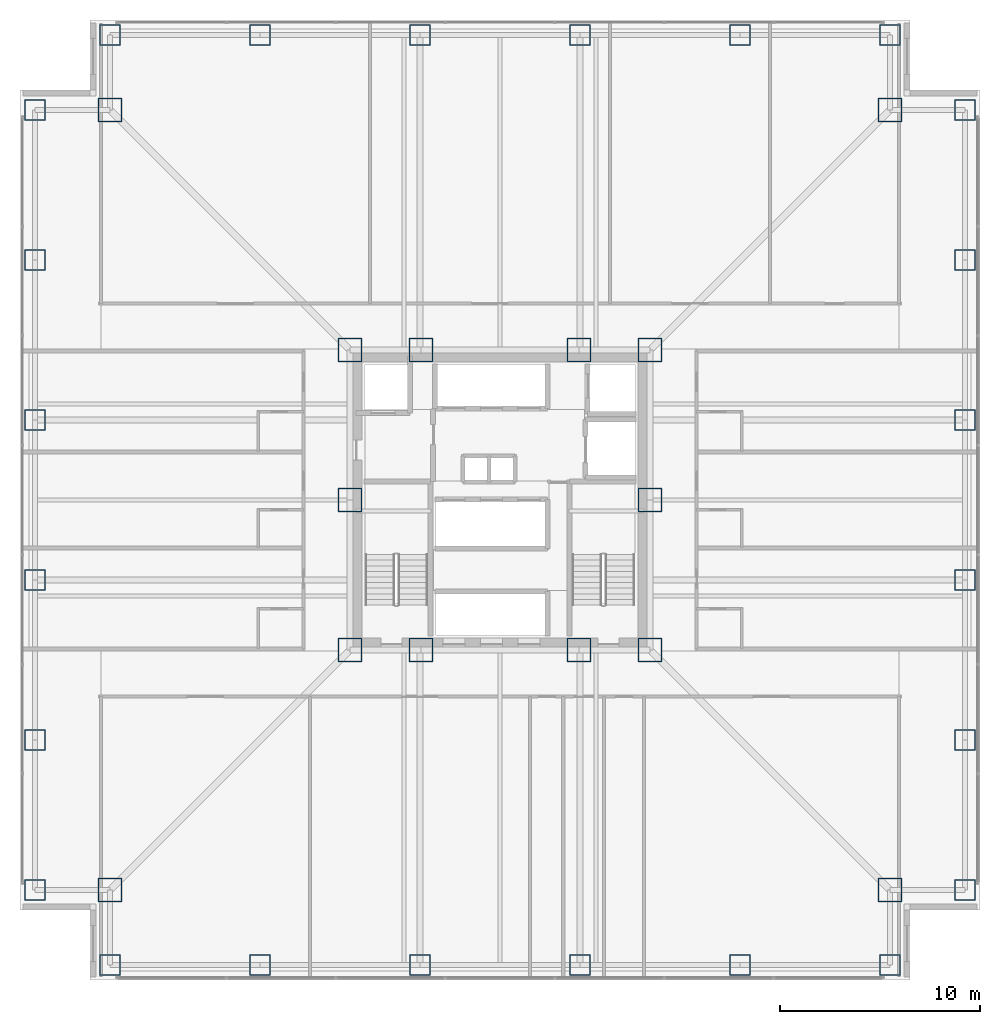
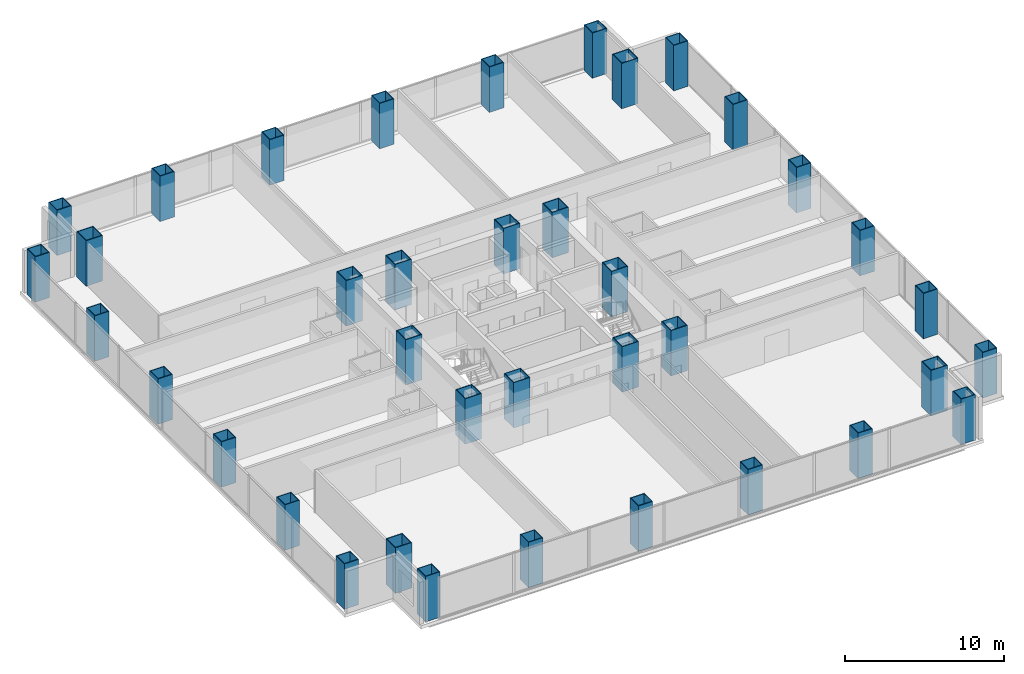
# One storey, part 1 of 16: 38 columns.
"""IFC4 building model written with IfcOpenShell, lengths in metres."""

from ifc_helpers import new_model, si_unit, direction, frame, origin, origin_2d, place, context, subcontext, project, spatial, hollow_rectangle, extrude, material, material_profile, profile_set, type_object, element, save


model = new_model("IFC4")

# Units and contexts
model_context = context("Model", 3, precision=1e-05, world=origin(), true_north=direction((0.0, 1.0)))
body_context = subcontext(model_context, "Body", "Model", "MODEL_VIEW")
ifc_project = project(units=[si_unit("LENGTHUNIT", "METRE"), si_unit("AREAUNIT", "SQUARE_METRE"), si_unit("VOLUMEUNIT", "CUBIC_METRE"), si_unit("PLANEANGLEUNIT", "RADIAN"), si_unit("MASSUNIT", "GRAM", prefix="KILO")], contexts=[model_context])

# Site, building, storey
site_placement = place(None, origin())
site = spatial("IfcSite", under=ifc_project, at=site_placement, CompositionType="ELEMENT")
building_placement = place(site_placement, origin())
building = spatial("IfcBuilding", under=site, at=building_placement, Name="Trevonay Congress Spire", CompositionType="ELEMENT")
storey_placement = place(building_placement, frame((0.0, 0.0, 51.5)))
storey = spatial("IfcBuildingStorey", under=building, at=storey_placement, Name="L12", CompositionType="ELEMENT", Elevation=51.5)

# Columns
ifc_material = material(Name="Steel ASTM A572 Grade 50", Category="steel")
ifc_material_profile_1 = material_profile(ifc_material, hollow_rectangle(XDim=1.199951171875, YDim=1.199951171875, WallThickness=0.054931640625, at=origin_2d()), Name="BOX 1200x1200x55")
ifc_profile_set_1 = profile_set([ifc_material_profile_1], Name="Steel ASTM A572 Grade 50")
column_type_1 = type_object("IfcColumnType", Name="COL-CORE-BOX1200", PredefinedType="COLUMN", material=ifc_profile_set_1)
for number, where, z_axis, x_axis, name in (
    (1, (-7.5, -7.5, 0.0), (0.0, 0.0, 1.0), (1.0, 0.0, 0.0), "L12 column C02 at CC-SW"),
    (2, (-3.949951171875, -7.5, 0.0), (0.0, 0.0, 1.0), (1.0, 0.0, 0.0), "L12 column C02 at CC-SMW"),
    (3, (3.949951171875, -7.5, 0.0), (0.0, 0.0, 1.0), (1.0, 0.0, 0.0), "L12 column C02 at CC-SME"),
    (4, (7.5, -7.5, 0.0), (0.0, 0.0, 1.0), (1.0, 0.0, 0.0), "L12 column C02 at CC-SE"),
    (5, (7.5, 0.0, 0.0), (0.0, 0.0, 1.0), (1.0, 0.0, 0.0), "L12 column C02 at CC-E"),
    (6, (7.5, 7.5, 0.0), (0.0, 0.0, 1.0), (1.0, 0.0, 0.0), "L12 column C02 at CC-NE"),
    (7, (3.949951171875, 7.5, 0.0), (0.0, 0.0, 1.0), (1.0, 0.0, 0.0), "L12 column C02 at CC-NME"),
    (8, (-3.949951171875, 7.5, 0.0), (0.0, 0.0, 1.0), (1.0, 0.0, 0.0), "L12 column C02 at CC-NMW"),
    (9, (-7.5, 7.5, 0.0), (0.0, 0.0, 1.0), (1.0, 0.0, 0.0), "L12 column C02 at CC-NW"),
    (10, (-7.5, 0.0, 0.0), (0.0, 0.0, 1.0), (1.0, 0.0, 0.0), "L12 column C02 at CC-W"),
):
    element("IfcColumn", number, at=place(storey_placement, frame(where, z_axis=z_axis, x_axis=x_axis)), inside=storey, type_object=column_type_1, Name=name, PredefinedType="COLUMN", context=body_context, shape_type="SweptSolid", body=[
        extrude(hollow_rectangle(XDim=1.199951171875, YDim=1.199951171875, WallThickness=0.054931640625, at=origin_2d()), origin(), (0.0, 0.0, 1.0), 3.5),
    ])
ifc_material_profile_2 = material_profile(ifc_material, hollow_rectangle(XDim=1.199951171875, YDim=1.199951171875, WallThickness=0.054931640625, at=origin_2d()), Name="BOX 1200x1200x55")
ifc_profile_set_2 = profile_set([ifc_material_profile_2], Name="Steel ASTM A572 Grade 50")
column_type_2 = type_object("IfcColumnType", Name="COL-NOTCH-BOX1200", PredefinedType="COLUMN", material=ifc_profile_set_2)
for number, where, z_axis, x_axis, name in (
    (11, (-19.5, -19.5, 0.0), (0.0, 0.0, 1.0), (1.0, 0.0, 0.0), "L12 column C19 at NC-SW"),
    (12, (19.5, -19.5, 0.0), (0.0, 0.0, 1.0), (1.0, 0.0, 0.0), "L12 column C19 at NC-SE"),
    (13, (19.5, 19.5, 0.0), (0.0, 0.0, 1.0), (1.0, 0.0, 0.0), "L12 column C19 at NC-NE"),
    (14, (-19.5, 19.5, 0.0), (0.0, 0.0, 1.0), (1.0, 0.0, 0.0), "L12 column C19 at NC-NW"),
):
    element("IfcColumn", number, at=place(storey_placement, frame(where, z_axis=z_axis, x_axis=x_axis)), inside=storey, type_object=column_type_2, Name=name, PredefinedType="COLUMN", context=body_context, shape_type="SweptSolid", body=[
        extrude(hollow_rectangle(XDim=1.199951171875, YDim=1.199951171875, WallThickness=0.054931640625, at=origin_2d()), origin(), (0.0, 0.0, 1.0), 3.5),
    ])
ifc_material_profile_3 = material_profile(ifc_material, hollow_rectangle(XDim=1.050048828125, YDim=1.050048828125, WallThickness=0.050048828125, at=origin_2d()), Name="BOX 1050x1050x50")
ifc_profile_set_3 = profile_set([ifc_material_profile_3], Name="Steel ASTM A572 Grade 50")
column_type_3 = type_object("IfcColumnType", Name="COL-TUBE-BOX1050", PredefinedType="COLUMN", material=ifc_profile_set_3)
for number, where, z_axis, x_axis, name in (
    (15, (-19.5, -23.25, 0.0), (0.0, 0.0, 1.0), (1.0, 0.0, 0.0), "L12 column C14 at TS-1"),
    (16, (-19.5, 23.25, 0.0), (0.0, 0.0, 1.0), (1.0, 0.0, 0.0), "L12 column C14 at TN-1"),
    (17, (-23.25, -19.5, 0.0), (0.0, 0.0, 1.0), (1.0, 0.0, 0.0), "L12 column C14 at TW-1"),
    (18, (23.25, -19.5, 0.0), (0.0, 0.0, 1.0), (1.0, 0.0, 0.0), "L12 column C14 at TE-1"),
    (19, (-12.0, -23.25, 0.0), (0.0, 0.0, 1.0), (1.0, 0.0, 0.0), "L12 column C14 at TS-2"),
    (20, (-12.0, 23.25, 0.0), (0.0, 0.0, 1.0), (1.0, 0.0, 0.0), "L12 column C14 at TN-2"),
    (21, (-23.25, -12.0, 0.0), (0.0, 0.0, 1.0), (1.0, 0.0, 0.0), "L12 column C14 at TW-2"),
    (22, (23.25, -12.0, 0.0), (0.0, 0.0, 1.0), (1.0, 0.0, 0.0), "L12 column C14 at TE-2"),
    (23, (-4.0, -23.25, 0.0), (0.0, 0.0, 1.0), (1.0, 0.0, 0.0), "L12 column C14 at TS-3"),
    (24, (-4.0, 23.25, 0.0), (0.0, 0.0, 1.0), (1.0, 0.0, 0.0), "L12 column C14 at TN-3"),
    (25, (-23.25, -4.0, 0.0), (0.0, 0.0, 1.0), (1.0, 0.0, 0.0), "L12 column C14 at TW-3"),
    (26, (23.25, -4.0, 0.0), (0.0, 0.0, 1.0), (1.0, 0.0, 0.0), "L12 column C14 at TE-3"),
    (27, (4.0, -23.25, 0.0), (0.0, 0.0, 1.0), (1.0, 0.0, 0.0), "L12 column C14 at TS-4"),
    (28, (4.0, 23.25, 0.0), (0.0, 0.0, 1.0), (1.0, 0.0, 0.0), "L12 column C14 at TN-4"),
    (29, (-23.25, 4.0, 0.0), (0.0, 0.0, 1.0), (1.0, 0.0, 0.0), "L12 column C14 at TW-4"),
    (30, (23.25, 4.0, 0.0), (0.0, 0.0, 1.0), (1.0, 0.0, 0.0), "L12 column C14 at TE-4"),
    (31, (12.0, -23.25, 0.0), (0.0, 0.0, 1.0), (1.0, 0.0, 0.0), "L12 column C14 at TS-5"),
    (32, (12.0, 23.25, 0.0), (0.0, 0.0, 1.0), (1.0, 0.0, 0.0), "L12 column C14 at TN-5"),
    (33, (-23.25, 12.0, 0.0), (0.0, 0.0, 1.0), (1.0, 0.0, 0.0), "L12 column C14 at TW-5"),
    (34, (23.25, 12.0, 0.0), (0.0, 0.0, 1.0), (1.0, 0.0, 0.0), "L12 column C14 at TE-5"),
    (35, (19.5, -23.25, 0.0), (0.0, 0.0, 1.0), (1.0, 0.0, 0.0), "L12 column C14 at TS-6"),
    (36, (19.5, 23.25, 0.0), (0.0, 0.0, 1.0), (1.0, 0.0, 0.0), "L12 column C14 at TN-6"),
    (37, (-23.25, 19.5, 0.0), (0.0, 0.0, 1.0), (1.0, 0.0, 0.0), "L12 column C14 at TW-6"),
    (38, (23.25, 19.5, 0.0), (0.0, 0.0, 1.0), (1.0, 0.0, 0.0), "L12 column C14 at TE-6"),
):
    element("IfcColumn", number, at=place(storey_placement, frame(where, z_axis=z_axis, x_axis=x_axis)), inside=storey, type_object=column_type_3, Name=name, PredefinedType="COLUMN", context=body_context, shape_type="SweptSolid", body=[
        extrude(hollow_rectangle(XDim=1.050048828125, YDim=1.050048828125, WallThickness=0.050048828125, at=origin_2d()), origin(), (0.0, 0.0, 1.0), 3.5),
    ])

save(model, "model.ifc")
